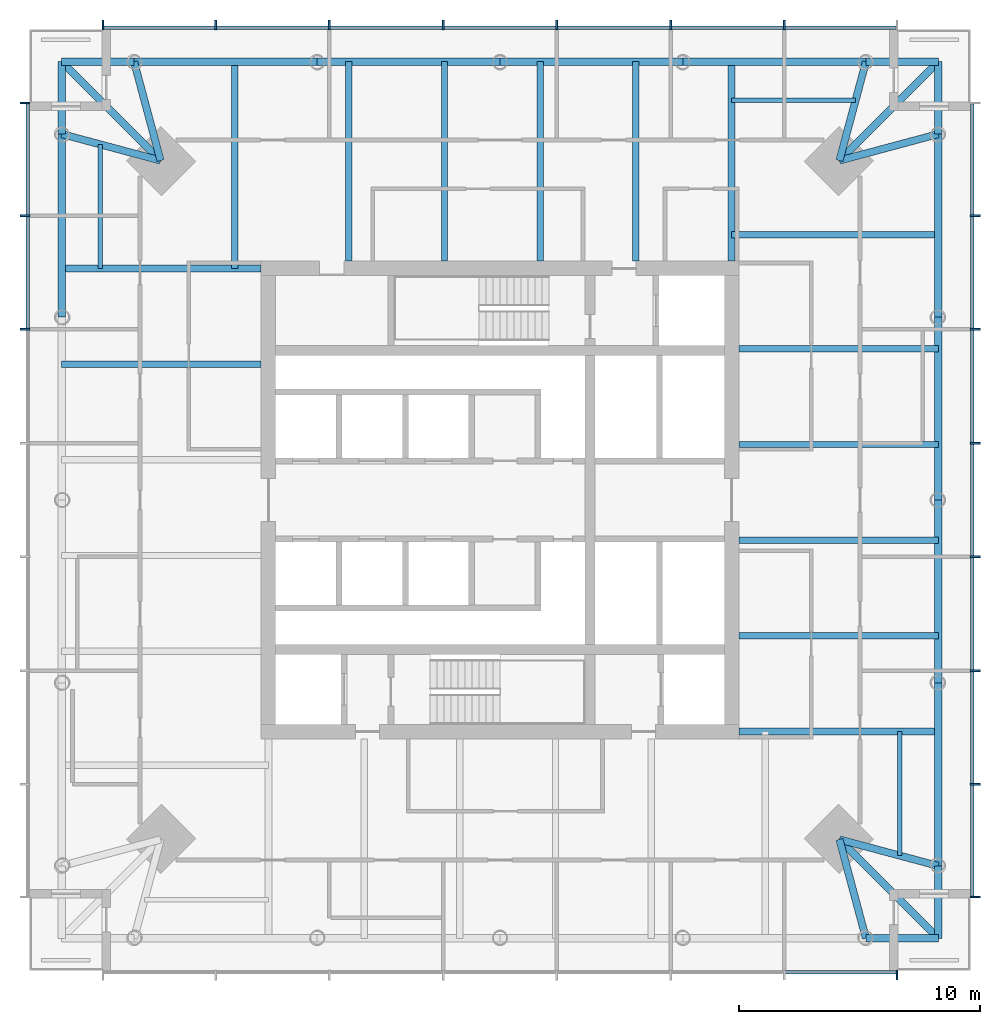
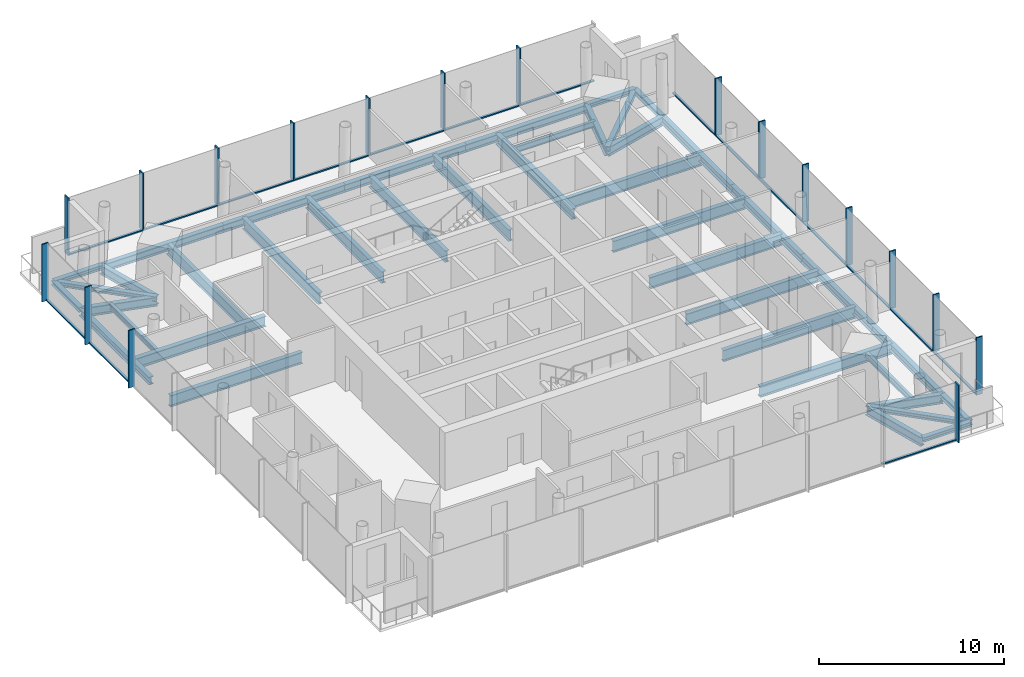
# One storey, part 2 of 7: 41 beams, 35 members, 4 elements without a shape of their own.
"""IFC4 building model written with IfcOpenShell, lengths in metres."""

from ifc_helpers import new_model, si_unit, direction, frame, origin, origin_2d, place, context, subcontext, project, spatial, rectangle, i_section, extrude, material, material_profile, profile_set, type_object, element, aggregate, save


model = new_model("IFC4")

# Units and contexts
model_context = context("Model", 3, precision=1e-05, world=origin(), true_north=direction((0.0, 1.0)))
body_context = subcontext(model_context, "Body", "Model", "MODEL_VIEW")
ifc_project = project(units=[si_unit("LENGTHUNIT", "METRE"), si_unit("AREAUNIT", "SQUARE_METRE"), si_unit("VOLUMEUNIT", "CUBIC_METRE"), si_unit("PLANEANGLEUNIT", "RADIAN"), si_unit("MASSUNIT", "GRAM", prefix="KILO")], contexts=[model_context])

# Site, building, storey
site_placement = place(None, origin())
site = spatial("IfcSite", under=ifc_project, at=site_placement, CompositionType="ELEMENT")
building_placement = place(site_placement, origin())
building = spatial("IfcBuilding", under=site, at=building_placement, Name="Ostroluk Exchange", CompositionType="ELEMENT")
storey_placement = place(building_placement, frame((0.0, 0.0, 203.39990234375)))
storey = spatial("IfcBuildingStorey", under=building, at=storey_placement, Name="L52", CompositionType="ELEMENT", Elevation=203.39990234375)

# Beams
ifc_material_1 = material(Name="Steel S355", Category="steel")
ifc_material_profile_1 = material_profile(ifc_material_1, i_section(OverallWidth=0.300048828125, OverallDepth=0.300048828125, WebThickness=0.010986328125, FlangeThickness=0.01904296875, FilletRadius=0.027099609375, at=origin_2d()), Name="HEB 300")
ifc_profile_set_1 = profile_set([ifc_material_profile_1], Name="Steel S355")
beam_type_1 = type_object("IfcBeamType", Name="Balcony beam HEB 300", PredefinedType="BEAM", material=ifc_profile_set_1)
for number, where, z_axis, x_axis, name in (
    (1, (63.17138671875, 61.17138671875, -0.329833984375), (0.0, 1.0, 0.0), (-1.0, 0.0, 0.0), "T1 east balcony beam a"),
    (2, (60.17138671875, 64.17138671875, -0.329833984375), (1.0, 0.0, 0.0), (0.0, 1.0, 0.0), "T1 east balcony beam b"),
):
    element("IfcBeam", number, at=place(storey_placement, frame(where, z_axis=z_axis, x_axis=x_axis)), inside=storey, type_object=beam_type_1, Name=name, PredefinedType="BEAM", context=body_context, shape_type="SweptSolid", body=[
        extrude(i_section(OverallWidth=0.300048828125, OverallDepth=0.300048828125, WebThickness=0.010986328125, FlangeThickness=0.01904296875, FilletRadius=0.027099609375, at=origin_2d()), origin(), (0.0, 0.0, 1.0), 3.0),
    ])
beam_1_placement = place(storey_placement, frame((59.071533203125, 60.071533203125, -0.329833984375), z_axis=(0.707106781187, 0.707106781187, 0.0), x_axis=(-0.707106781187, 0.707106781187, 0.0)))
element("IfcBeam", 3, at=beam_1_placement, inside=storey, type_object=beam_type_1, Name="T1 east balcony beam c", PredefinedType="BEAM", context=body_context, shape_type="SweptSolid", body=[
    extrude(i_section(OverallWidth=0.300048828125, OverallDepth=0.300048828125, WebThickness=0.010986328125, FlangeThickness=0.01904296875, FilletRadius=0.027099609375, at=origin_2d()), origin(), (0.0, 0.0, 1.0), 5.798095703125),
])
for number, where, z_axis, x_axis, name in (
    (4, (29.82861328125, 64.17138671875, -0.329833984375), (-1.0, 0.0, 0.0), (0.0, -1.0, 0.0), "T1 north balcony beam a"),
    (5, (26.82861328125, 61.17138671875, -0.329833984375), (0.0, 1.0, 0.0), (-1.0, 0.0, 0.0), "T1 north balcony beam b"),
):
    element("IfcBeam", number, at=place(storey_placement, frame(where, z_axis=z_axis, x_axis=x_axis)), inside=storey, type_object=beam_type_1, Name=name, PredefinedType="BEAM", context=body_context, shape_type="SweptSolid", body=[
        extrude(i_section(OverallWidth=0.300048828125, OverallDepth=0.300048828125, WebThickness=0.010986328125, FlangeThickness=0.01904296875, FilletRadius=0.027099609375, at=origin_2d()), origin(), (0.0, 0.0, 1.0), 3.0),
    ])
beam_2_placement = place(storey_placement, frame((30.928466796875, 60.071533203125, -0.329833984375), z_axis=(-0.707106781187, 0.707106781187, 0.0), x_axis=(-0.707106781187, -0.707106781187, 0.0)))
element("IfcBeam", 6, at=beam_2_placement, inside=storey, type_object=beam_type_1, Name="T1 north balcony beam c", PredefinedType="BEAM", context=body_context, shape_type="SweptSolid", body=[
    extrude(i_section(OverallWidth=0.300048828125, OverallDepth=0.300048828125, WebThickness=0.010986328125, FlangeThickness=0.01904296875, FilletRadius=0.027099609375, at=origin_2d()), origin(), (0.0, 0.0, 1.0), 5.798095703125),
])
for number, where, z_axis, x_axis, name in (
    (7, (60.17138671875, 27.82861328125, -0.329833984375), (1.0, 0.0, 0.0), (0.0, 1.0, 0.0), "T1 south balcony beam a"),
    (8, (63.17138671875, 30.82861328125, -0.329833984375), (0.0, -1.0, 0.0), (1.0, 0.0, 0.0), "T1 south balcony beam b"),
):
    element("IfcBeam", number, at=place(storey_placement, frame(where, z_axis=z_axis, x_axis=x_axis)), inside=storey, type_object=beam_type_1, Name=name, PredefinedType="BEAM", context=body_context, shape_type="SweptSolid", body=[
        extrude(i_section(OverallWidth=0.300048828125, OverallDepth=0.300048828125, WebThickness=0.010986328125, FlangeThickness=0.01904296875, FilletRadius=0.027099609375, at=origin_2d()), origin(), (0.0, 0.0, 1.0), 3.0),
    ])
beam_3_placement = place(storey_placement, frame((59.071533203125, 31.928466796875, -0.329833984375), z_axis=(0.707106781187, -0.707106781187, 0.0), x_axis=(0.707106781187, 0.707106781187, 0.0)))
element("IfcBeam", 9, at=beam_3_placement, inside=storey, type_object=beam_type_1, Name="T1 south balcony beam c", PredefinedType="BEAM", context=body_context, shape_type="SweptSolid", body=[
    extrude(i_section(OverallWidth=0.300048828125, OverallDepth=0.300048828125, WebThickness=0.010986328125, FlangeThickness=0.01904296875, FilletRadius=0.027099609375, at=origin_2d()), origin(), (0.0, 0.0, 1.0), 5.798095703125),
])
ifc_material_2 = material(Name="Steel S355", Category="steel")
ifc_material_profile_2 = material_profile(ifc_material_2, i_section(OverallWidth=0.300048828125, OverallDepth=0.60009765625, WebThickness=0.015380859375, FlangeThickness=0.030029296875, FilletRadius=0.027099609375, at=origin_2d()), Name="HEB 600")
ifc_profile_set_2 = profile_set([ifc_material_profile_2], Name="Steel S355")
beam_type_2 = type_object("IfcBeamType", Name="Corner edge beam HEB 600", PredefinedType="SPANDREL", material=ifc_profile_set_2)
for number, where, z_axis, x_axis, name in (
    (10, (59.071533203125, 60.071533203125, -0.47998046875), (0.965849156574, 0.259105011038, 0.0), (-0.259105011038, 0.965849156574, 0.0), "T1 east corner edge beam a"),
    (11, (59.071533203125, 60.071533203125, -0.47998046875), (0.259105011038, 0.965849156574, 0.0), (-0.965849156574, 0.259105011038, 0.0), "T1 east corner edge beam b"),
    (12, (30.928466796875, 60.071533203125, -0.47998046875), (-0.259105011038, 0.965849156574, 0.0), (-0.965849156574, -0.259105011038, 0.0), "T1 north corner edge beam a"),
    (13, (30.928466796875, 60.071533203125, -0.47998046875), (-0.965849156574, 0.259105011038, 0.0), (-0.259105011038, -0.965849156574, 0.0), "T1 north corner edge beam b"),
    (14, (59.071533203125, 31.928466796875, -0.47998046875), (0.259105011038, -0.965849156574, 0.0), (0.965849156574, 0.259105011038, 0.0), "T1 south corner edge beam a"),
    (15, (59.071533203125, 31.928466796875, -0.47998046875), (0.965849156574, -0.259105011038, 0.0), (0.259105011038, 0.965849156574, 0.0), "T1 south corner edge beam b"),
):
    element("IfcBeam", number, at=place(storey_placement, frame(where, z_axis=z_axis, x_axis=x_axis)), inside=storey, type_object=beam_type_2, Name=name, PredefinedType="SPANDREL", context=body_context, shape_type="SweptSolid", body=[
        extrude(i_section(OverallWidth=0.300048828125, OverallDepth=0.60009765625, WebThickness=0.015380859375, FlangeThickness=0.030029296875, FilletRadius=0.027099609375, at=origin_2d()), origin(), (0.0, 0.0, 1.0), 4.244873046875),
    ])
ifc_material_3 = material(Name="Steel S355", Category="steel")
ifc_material_profile_3 = material_profile(ifc_material_3, i_section(OverallWidth=0.179931640625, OverallDepth=0.39990234375, WebThickness=0.008544921875, FlangeThickness=0.013427734375, FilletRadius=0.02099609375, at=origin_2d()), Name="IPE 400")
ifc_profile_set_3 = profile_set([ifc_material_profile_3], Name="Steel S355")
beam_type_3 = type_object("IfcBeamType", Name="Floor beam IPE 400", PredefinedType="BEAM", material=ifc_profile_set_3)
for number, where, z_axis, x_axis, name in (
    (16, (54.60009765625, 62.571533203125, -0.3798828125), (1.0, 0.0, 0.0), (0.0, 1.0, 0.0), "T1 east floor beam 6"),
    (17, (28.428466796875, 55.60009765625, -0.3798828125), (0.0, 1.0, 0.0), (-1.0, 0.0, 0.0), "T1 north floor beam 6"),
    (18, (61.571533203125, 36.39990234375, -0.3798828125), (0.0, -1.0, 0.0), (1.0, 0.0, 0.0), "T1 south floor beam 6"),
):
    element("IfcBeam", number, at=place(storey_placement, frame(where, z_axis=z_axis, x_axis=x_axis)), inside=storey, type_object=beam_type_3, Name=name, PredefinedType="BEAM", context=body_context, shape_type="SweptSolid", body=[
        extrude(i_section(OverallWidth=0.179931640625, OverallDepth=0.39990234375, WebThickness=0.008544921875, FlangeThickness=0.013427734375, FilletRadius=0.02099609375, at=origin_2d()), origin(), (0.0, 0.0, 1.0), 5.14208984375),
    ])
ifc_material_4 = material(Name="Steel S355", Category="steel")
ifc_material_profile_4 = material_profile(ifc_material_4, i_section(OverallWidth=0.264892578125, OverallDepth=0.7529296875, WebThickness=0.01318359375, FlangeThickness=0.01708984375, FilletRadius=0.01708984375, at=origin_2d()), Name="IPE 750x147")
ifc_profile_set_4 = profile_set([ifc_material_profile_4], Name="Steel S355")
beam_type_4 = type_object("IfcBeamType", Name="Floor beam IPE 750x147", PredefinedType="BEAM", material=ifc_profile_set_4)
for number, where, z_axis, x_axis, name in (
    (19, (54.89990234375, 40.367431640625, -0.556396484375), (1.0, 0.0, 0.0), (0.0, 1.0, 0.0), "T1 east floor beam 1"),
    (20, (54.89990234375, 44.334716796875, -0.556396484375), (1.0, 0.0, 0.0), (0.0, 1.0, 0.0), "T1 east floor beam 2"),
    (21, (54.89990234375, 48.302001953125, -0.556396484375), (1.0, 0.0, 0.0), (0.0, 1.0, 0.0), "T1 east floor beam 3"),
    (22, (54.89990234375, 52.269287109375, -0.556396484375), (1.0, 0.0, 0.0), (0.0, 1.0, 0.0), "T1 east floor beam 4"),
):
    element("IfcBeam", number, at=place(storey_placement, frame(where, z_axis=z_axis, x_axis=x_axis)), inside=storey, type_object=beam_type_4, Name=name, PredefinedType="BEAM", context=body_context, shape_type="SweptSolid", body=[
        extrude(i_section(OverallWidth=0.264892578125, OverallDepth=0.7529296875, WebThickness=0.01318359375, FlangeThickness=0.01708984375, FilletRadius=0.01708984375, at=origin_2d()), origin(), (0.0, 0.0, 1.0), 8.271484375),
    ])
beam_4_placement = place(storey_placement, frame((54.60009765625, 57.0, -0.556396484375), z_axis=(1.0, 0.0, 0.0), x_axis=(0.0, 1.0, 0.0)))
element("IfcBeam", 23, at=beam_4_placement, inside=storey, type_object=beam_type_4, Name="T1 east floor beam 5", PredefinedType="BEAM", context=body_context, shape_type="SweptSolid", body=[
    extrude(i_section(OverallWidth=0.264892578125, OverallDepth=0.7529296875, WebThickness=0.01318359375, FlangeThickness=0.01708984375, FilletRadius=0.01708984375, at=origin_2d()), origin(), (0.0, 0.0, 1.0), 8.5712890625),
])
for number, where, z_axis, x_axis, name in (
    (24, (50.632568359375, 55.89990234375, -0.556396484375), (0.0, 1.0, 0.0), (-1.0, 0.0, 0.0), "T1 north floor beam 1"),
    (25, (46.665283203125, 55.89990234375, -0.556396484375), (0.0, 1.0, 0.0), (-1.0, 0.0, 0.0), "T1 north floor beam 2"),
    (26, (42.697998046875, 55.89990234375, -0.556396484375), (0.0, 1.0, 0.0), (-1.0, 0.0, 0.0), "T1 north floor beam 3"),
    (27, (38.730712890625, 55.89990234375, -0.556396484375), (0.0, 1.0, 0.0), (-1.0, 0.0, 0.0), "T1 north floor beam 4"),
):
    element("IfcBeam", number, at=place(storey_placement, frame(where, z_axis=z_axis, x_axis=x_axis)), inside=storey, type_object=beam_type_4, Name=name, PredefinedType="BEAM", context=body_context, shape_type="SweptSolid", body=[
        extrude(i_section(OverallWidth=0.264892578125, OverallDepth=0.7529296875, WebThickness=0.01318359375, FlangeThickness=0.01708984375, FilletRadius=0.01708984375, at=origin_2d()), origin(), (0.0, 0.0, 1.0), 8.271484375),
    ])
beam_5_placement = place(storey_placement, frame((34.0, 55.60009765625, -0.556396484375), z_axis=(0.0, 1.0, 0.0), x_axis=(-1.0, 0.0, 0.0)))
element("IfcBeam", 28, at=beam_5_placement, inside=storey, type_object=beam_type_4, Name="T1 north floor beam 5", PredefinedType="BEAM", context=body_context, shape_type="SweptSolid", body=[
    extrude(i_section(OverallWidth=0.264892578125, OverallDepth=0.7529296875, WebThickness=0.01318359375, FlangeThickness=0.01708984375, FilletRadius=0.01708984375, at=origin_2d()), origin(), (0.0, 0.0, 1.0), 8.5712890625),
])
beam_6_placement = place(storey_placement, frame((35.10009765625, 51.632568359375, -0.556396484375), z_axis=(-1.0, 0.0, 0.0), x_axis=(0.0, -1.0, 0.0)))
element("IfcBeam", 29, at=beam_6_placement, inside=storey, type_object=beam_type_4, Name="T1 west floor beam 1", PredefinedType="BEAM", context=body_context, shape_type="SweptSolid", body=[
    extrude(i_section(OverallWidth=0.264892578125, OverallDepth=0.7529296875, WebThickness=0.01318359375, FlangeThickness=0.01708984375, FilletRadius=0.01708984375, at=origin_2d()), origin(), (0.0, 0.0, 1.0), 8.271484375),
])
ifc_material_5 = material(Name="Steel S355", Category="steel")
ifc_material_profile_5 = material_profile(ifc_material_5, i_section(OverallWidth=0.300048828125, OverallDepth=0.699951171875, WebThickness=0.01708984375, FlangeThickness=0.031982421875, FilletRadius=0.027099609375, at=origin_2d()), Name="HEB 700")
ifc_profile_set_5 = profile_set([ifc_material_profile_5], Name="Steel S355")
beam_type_5 = type_object("IfcBeamType", Name="Girder HEB 700", PredefinedType="BEAM", material=ifc_profile_set_5)
for number, where, z_axis, x_axis, name in (
    (30, (54.60009765625, 55.89990234375, -0.52978515625), (0.0, 1.0, 0.0), (-1.0, 0.0, 0.0), "T1 east girder"),
    (31, (35.10009765625, 55.60009765625, -0.52978515625), (-1.0, 0.0, 0.0), (0.0, -1.0, 0.0), "T1 north girder"),
    (32, (54.89990234375, 36.39990234375, -0.52978515625), (1.0, 0.0, 0.0), (0.0, 1.0, 0.0), "T1 south girder"),
):
    element("IfcBeam", number, at=place(storey_placement, frame(where, z_axis=z_axis, x_axis=x_axis)), inside=storey, type_object=beam_type_5, Name=name, PredefinedType="BEAM", context=body_context, shape_type="SweptSolid", body=[
        extrude(i_section(OverallWidth=0.300048828125, OverallDepth=0.699951171875, WebThickness=0.01708984375, FlangeThickness=0.031982421875, FilletRadius=0.027099609375, at=origin_2d()), origin(), (0.0, 0.0, 1.0), 8.271484375),
    ])
ifc_material_6 = material(Name="Steel S355", Category="steel")
ifc_material_profile_6 = material_profile(ifc_material_6, i_section(OverallWidth=0.300048828125, OverallDepth=0.5, WebThickness=0.014404296875, FlangeThickness=0.028076171875, FilletRadius=0.027099609375, at=origin_2d()), Name="HEB 500")
ifc_profile_set_6 = profile_set([ifc_material_profile_6], Name="Steel S355")
beam_type_6 = type_object("IfcBeamType", Name="Moment-connected edge beam HEB 500", PredefinedType="SPANDREL", material=ifc_profile_set_6)
for number, where, z_axis, x_axis, name in (
    (33, (63.17138671875, 30.82861328125, -0.429931640625), (0.0, 1.0, 0.0), (-1.0, 0.0, 0.0), "T1 east edge beam 1"),
    (34, (63.17138671875, 38.414306640625, -0.429931640625), (0.0, 1.0, 0.0), (-1.0, 0.0, 0.0), "T1 east edge beam 2"),
    (35, (63.17138671875, 46.0, -0.429931640625), (0.0, 1.0, 0.0), (-1.0, 0.0, 0.0), "T1 east edge beam 3"),
    (36, (63.17138671875, 53.585693359375, -0.429931640625), (0.0, 1.0, 0.0), (-1.0, 0.0, 0.0), "T1 east edge beam 4"),
    (37, (60.17138671875, 64.17138671875, -0.429931640625), (-1.0, 0.0, 0.0), (0.0, -1.0, 0.0), "T1 north edge beam 1"),
    (38, (52.585693359375, 64.17138671875, -0.429931640625), (-1.0, 0.0, 0.0), (0.0, -1.0, 0.0), "T1 north edge beam 2"),
    (39, (45.0, 64.17138671875, -0.429931640625), (-1.0, 0.0, 0.0), (0.0, -1.0, 0.0), "T1 north edge beam 3"),
    (40, (37.414306640625, 64.17138671875, -0.429931640625), (-1.0, 0.0, 0.0), (0.0, -1.0, 0.0), "T1 north edge beam 4"),
    (41, (26.82861328125, 61.17138671875, -0.429931640625), (0.0, -1.0, 0.0), (1.0, 0.0, 0.0), "T1 west edge beam 1"),
):
    element("IfcBeam", number, at=place(storey_placement, frame(where, z_axis=z_axis, x_axis=x_axis)), inside=storey, type_object=beam_type_6, Name=name, PredefinedType="SPANDREL", context=body_context, shape_type="SweptSolid", body=[
        extrude(i_section(OverallWidth=0.300048828125, OverallDepth=0.5, WebThickness=0.014404296875, FlangeThickness=0.028076171875, FilletRadius=0.027099609375, at=origin_2d()), origin(), (0.0, 0.0, 1.0), 7.585693359375),
    ])

# Curtain wall, member
ifc_material_7 = material(Name="Laminated clear glass", Category="glass")
curtain_wall_type = type_object("IfcCurtainWallType", Name="Office tower facade", PredefinedType="USERDEFINED", material=ifc_material_7)
curtain_wall_1_placement = place(storey_placement, origin())
curtain_wall_1 = element("IfcCurtainWall", 42, at=curtain_wall_1_placement, inside=storey, type_object=curtain_wall_type, Name="Office tower south facade L52", ObjectType="UNITISED CURTAIN WALL", PredefinedType="USERDEFINED")
ifc_material_8 = material(Name="Aluminium mullion", Category="aluminium")
ifc_material_profile_7 = material_profile(ifc_material_8, rectangle(XDim=0.14990234375, YDim=0.080078125, at=origin_2d()), Name="Sill transom 80 x 150")
ifc_profile_set_7 = profile_set([ifc_material_profile_7], Name="Aluminium mullion")
member_type_1 = type_object("IfcMemberType", Name="Sill transom 80 x 150", PredefinedType="USERDEFINED", material=ifc_profile_set_7)
member_1_placement = place(storey_placement, frame((56.82568359375, 26.425048828125, 0.0400390625), z_axis=(1.0, 0.0, 0.0), x_axis=(0.0, 1.0, 0.0)))
member_1 = element("IfcMember", 43, at=member_1_placement, type_object=member_type_1, Name="CW-O1 transom 7.1", ObjectType="TRANSOM", PredefinedType="USERDEFINED", context=body_context, shape_type="SweptSolid", body=[
    extrude(rectangle(XDim=0.14990234375, YDim=0.080078125, at=origin_2d()), origin(), (0.0, 0.0, 1.0), 4.59423828125),
])

# Curtain wall, members
curtain_wall_2_placement = place(storey_placement, origin())
curtain_wall_2 = element("IfcCurtainWall", 44, at=curtain_wall_2_placement, inside=storey, type_object=curtain_wall_type, Name="Office tower east facade L52", ObjectType="UNITISED CURTAIN WALL", PredefinedType="USERDEFINED")
member_2_placement = place(storey_placement, frame((64.574951171875, 29.580078125, 0.0400390625), z_axis=(0.0, 1.0, 0.0), x_axis=(-1.0, 0.0, 0.0)))
member_2 = element("IfcMember", 45, at=member_2_placement, type_object=member_type_1, Name="CW-O1 transom 1.1", ObjectType="TRANSOM", PredefinedType="USERDEFINED", context=body_context, shape_type="SweptSolid", body=[
    extrude(rectangle(XDim=0.14990234375, YDim=0.080078125, at=origin_2d()), origin(), (0.0, 0.0, 1.0), 4.59423828125),
])
member_3_placement = place(storey_placement, frame((64.574951171875, 34.25439453125, 0.0400390625), z_axis=(0.0, 1.0, 0.0), x_axis=(-1.0, 0.0, 0.0)))
member_3 = element("IfcMember", 46, at=member_3_placement, type_object=member_type_1, Name="CW-O1 transom 2.1", ObjectType="TRANSOM", PredefinedType="USERDEFINED", context=body_context, shape_type="SweptSolid", body=[
    extrude(rectangle(XDim=0.14990234375, YDim=0.080078125, at=origin_2d()), origin(), (0.0, 0.0, 1.0), 4.63427734375),
])
member_4_placement = place(storey_placement, frame((64.574951171875, 38.968505859375, 0.0400390625), z_axis=(0.0, 1.0, 0.0), x_axis=(-1.0, 0.0, 0.0)))
member_4 = element("IfcMember", 47, at=member_4_placement, type_object=member_type_1, Name="CW-O1 transom 3.1", ObjectType="TRANSOM", PredefinedType="USERDEFINED", context=body_context, shape_type="SweptSolid", body=[
    extrude(rectangle(XDim=0.14990234375, YDim=0.080078125, at=origin_2d()), origin(), (0.0, 0.0, 1.0), 4.63427734375),
])
member_5_placement = place(storey_placement, frame((64.574951171875, 43.682861328125, 0.0400390625), z_axis=(0.0, 1.0, 0.0), x_axis=(-1.0, 0.0, 0.0)))
member_5 = element("IfcMember", 48, at=member_5_placement, type_object=member_type_1, Name="CW-O1 transom 4.1", ObjectType="TRANSOM", PredefinedType="USERDEFINED", context=body_context, shape_type="SweptSolid", body=[
    extrude(rectangle(XDim=0.14990234375, YDim=0.080078125, at=origin_2d()), origin(), (0.0, 0.0, 1.0), 4.63427734375),
])
member_6_placement = place(storey_placement, frame((64.574951171875, 48.397216796875, 0.0400390625), z_axis=(0.0, 1.0, 0.0), x_axis=(-1.0, 0.0, 0.0)))
member_6 = element("IfcMember", 49, at=member_6_placement, type_object=member_type_1, Name="CW-O1 transom 5.1", ObjectType="TRANSOM", PredefinedType="USERDEFINED", context=body_context, shape_type="SweptSolid", body=[
    extrude(rectangle(XDim=0.14990234375, YDim=0.080078125, at=origin_2d()), origin(), (0.0, 0.0, 1.0), 4.63427734375),
])
member_7_placement = place(storey_placement, frame((64.574951171875, 53.111328125, 0.0400390625), z_axis=(0.0, 1.0, 0.0), x_axis=(-1.0, 0.0, 0.0)))
member_7 = element("IfcMember", 50, at=member_7_placement, type_object=member_type_1, Name="CW-O1 transom 6.1", ObjectType="TRANSOM", PredefinedType="USERDEFINED", context=body_context, shape_type="SweptSolid", body=[
    extrude(rectangle(XDim=0.14990234375, YDim=0.080078125, at=origin_2d()), origin(), (0.0, 0.0, 1.0), 4.63427734375),
])
member_8_placement = place(storey_placement, frame((64.574951171875, 57.82568359375, 0.0400390625), z_axis=(0.0, 1.0, 0.0), x_axis=(-1.0, 0.0, 0.0)))
member_8 = element("IfcMember", 51, at=member_8_placement, type_object=member_type_1, Name="CW-O1 transom 7.1", ObjectType="TRANSOM", PredefinedType="USERDEFINED", context=body_context, shape_type="SweptSolid", body=[
    extrude(rectangle(XDim=0.14990234375, YDim=0.080078125, at=origin_2d()), origin(), (0.0, 0.0, 1.0), 4.59423828125),
])

curtain_wall_3_placement = place(storey_placement, origin())
curtain_wall_3 = element("IfcCurtainWall", 52, at=curtain_wall_3_placement, inside=storey, type_object=curtain_wall_type, Name="Office tower north facade L52", ObjectType="UNITISED CURTAIN WALL", PredefinedType="USERDEFINED")
member_9_placement = place(storey_placement, frame((61.419921875, 65.574951171875, 0.0400390625), z_axis=(-1.0, 0.0, 0.0), x_axis=(0.0, -1.0, 0.0)))
member_9 = element("IfcMember", 53, at=member_9_placement, type_object=member_type_1, Name="CW-O1 transom 1.1", ObjectType="TRANSOM", PredefinedType="USERDEFINED", context=body_context, shape_type="SweptSolid", body=[
    extrude(rectangle(XDim=0.14990234375, YDim=0.080078125, at=origin_2d()), origin(), (0.0, 0.0, 1.0), 4.59423828125),
])
member_10_placement = place(storey_placement, frame((56.74560546875, 65.574951171875, 0.0400390625), z_axis=(-1.0, 0.0, 0.0), x_axis=(0.0, -1.0, 0.0)))
member_10 = element("IfcMember", 54, at=member_10_placement, type_object=member_type_1, Name="CW-O1 transom 2.1", ObjectType="TRANSOM", PredefinedType="USERDEFINED", context=body_context, shape_type="SweptSolid", body=[
    extrude(rectangle(XDim=0.14990234375, YDim=0.080078125, at=origin_2d()), origin(), (0.0, 0.0, 1.0), 4.63427734375),
])
member_11_placement = place(storey_placement, frame((52.031494140625, 65.574951171875, 0.0400390625), z_axis=(-1.0, 0.0, 0.0), x_axis=(0.0, -1.0, 0.0)))
member_11 = element("IfcMember", 55, at=member_11_placement, type_object=member_type_1, Name="CW-O1 transom 3.1", ObjectType="TRANSOM", PredefinedType="USERDEFINED", context=body_context, shape_type="SweptSolid", body=[
    extrude(rectangle(XDim=0.14990234375, YDim=0.080078125, at=origin_2d()), origin(), (0.0, 0.0, 1.0), 4.63427734375),
])
member_12_placement = place(storey_placement, frame((47.317138671875, 65.574951171875, 0.0400390625), z_axis=(-1.0, 0.0, 0.0), x_axis=(0.0, -1.0, 0.0)))
member_12 = element("IfcMember", 56, at=member_12_placement, type_object=member_type_1, Name="CW-O1 transom 4.1", ObjectType="TRANSOM", PredefinedType="USERDEFINED", context=body_context, shape_type="SweptSolid", body=[
    extrude(rectangle(XDim=0.14990234375, YDim=0.080078125, at=origin_2d()), origin(), (0.0, 0.0, 1.0), 4.63427734375),
])
member_13_placement = place(storey_placement, frame((42.602783203125, 65.574951171875, 0.0400390625), z_axis=(-1.0, 0.0, 0.0), x_axis=(0.0, -1.0, 0.0)))
member_13 = element("IfcMember", 57, at=member_13_placement, type_object=member_type_1, Name="CW-O1 transom 5.1", ObjectType="TRANSOM", PredefinedType="USERDEFINED", context=body_context, shape_type="SweptSolid", body=[
    extrude(rectangle(XDim=0.14990234375, YDim=0.080078125, at=origin_2d()), origin(), (0.0, 0.0, 1.0), 4.63427734375),
])
member_14_placement = place(storey_placement, frame((37.888671875, 65.574951171875, 0.0400390625), z_axis=(-1.0, 0.0, 0.0), x_axis=(0.0, -1.0, 0.0)))
member_14 = element("IfcMember", 58, at=member_14_placement, type_object=member_type_1, Name="CW-O1 transom 6.1", ObjectType="TRANSOM", PredefinedType="USERDEFINED", context=body_context, shape_type="SweptSolid", body=[
    extrude(rectangle(XDim=0.14990234375, YDim=0.080078125, at=origin_2d()), origin(), (0.0, 0.0, 1.0), 4.63427734375),
])
member_15_placement = place(storey_placement, frame((33.17431640625, 65.574951171875, 0.0400390625), z_axis=(-1.0, 0.0, 0.0), x_axis=(0.0, -1.0, 0.0)))
member_15 = element("IfcMember", 59, at=member_15_placement, type_object=member_type_1, Name="CW-O1 transom 7.1", ObjectType="TRANSOM", PredefinedType="USERDEFINED", context=body_context, shape_type="SweptSolid", body=[
    extrude(rectangle(XDim=0.14990234375, YDim=0.080078125, at=origin_2d()), origin(), (0.0, 0.0, 1.0), 4.59423828125),
])

curtain_wall_4_placement = place(storey_placement, origin())
curtain_wall_4 = element("IfcCurtainWall", 60, at=curtain_wall_4_placement, inside=storey, type_object=curtain_wall_type, Name="Office tower west facade L52", ObjectType="UNITISED CURTAIN WALL", PredefinedType="USERDEFINED")
member_16_placement = place(storey_placement, frame((25.425048828125, 62.419921875, 0.0400390625), z_axis=(0.0, -1.0, 0.0), x_axis=(1.0, 0.0, 0.0)))
member_16 = element("IfcMember", 61, at=member_16_placement, type_object=member_type_1, Name="CW-O1 transom 1.1", ObjectType="TRANSOM", PredefinedType="USERDEFINED", context=body_context, shape_type="SweptSolid", body=[
    extrude(rectangle(XDim=0.14990234375, YDim=0.080078125, at=origin_2d()), origin(), (0.0, 0.0, 1.0), 4.59423828125),
])
member_17_placement = place(storey_placement, frame((25.425048828125, 57.74560546875, 0.0400390625), z_axis=(0.0, -1.0, 0.0), x_axis=(1.0, 0.0, 0.0)))
member_17 = element("IfcMember", 62, at=member_17_placement, type_object=member_type_1, Name="CW-O1 transom 2.1", ObjectType="TRANSOM", PredefinedType="USERDEFINED", context=body_context, shape_type="SweptSolid", body=[
    extrude(rectangle(XDim=0.14990234375, YDim=0.080078125, at=origin_2d()), origin(), (0.0, 0.0, 1.0), 4.63427734375),
])

# Member
ifc_material_9 = material(Name="Aluminium mullion with limestone facing", Category="masonry")
ifc_material_profile_8 = material_profile(ifc_material_9, rectangle(XDim=0.39990234375, YDim=0.080078125, at=origin_2d()), Name="Tracery mullion 80 x 400")
ifc_profile_set_8 = profile_set([ifc_material_profile_8], Name="Aluminium mullion with limestone facing")
member_type_2 = type_object("IfcMemberType", Name="Tracery mullion 80 x 400", PredefinedType="MULLION", material=ifc_profile_set_8)
member_18_placement = place(storey_placement, frame((61.4599609375, 26.300048828125, 0.0), z_axis=(0.0, 0.0, 1.0), x_axis=(0.0, 1.0, 0.0)))
member_18 = element("IfcMember", 63, at=member_18_placement, type_object=member_type_2, Name="CW-O1 mullion 8", PredefinedType="MULLION", context=body_context, shape_type="SweptSolid", body=[
    extrude(rectangle(XDim=0.39990234375, YDim=0.080078125, at=origin_2d()), origin(), (0.0, 0.0, 1.0), 3.800048828125),
])

aggregate(curtain_wall_1, [member_18, member_1])

member_19_placement = place(storey_placement, frame((64.699951171875, 29.5400390625, 0.0), z_axis=(0.0, 0.0, 1.0), x_axis=(-1.0, 0.0, 0.0)))
member_19 = element("IfcMember", 64, at=member_19_placement, type_object=member_type_2, Name="CW-O1 mullion 1", PredefinedType="MULLION", context=body_context, shape_type="SweptSolid", body=[
    extrude(rectangle(XDim=0.39990234375, YDim=0.080078125, at=origin_2d()), origin(), (0.0, 0.0, 1.0), 3.800048828125),
])

member_20_placement = place(storey_placement, frame((64.699951171875, 34.21435546875, 0.0), z_axis=(0.0, 0.0, 1.0), x_axis=(-1.0, 0.0, 0.0)))
member_20 = element("IfcMember", 65, at=member_20_placement, type_object=member_type_2, Name="CW-O1 mullion 2", PredefinedType="MULLION", context=body_context, shape_type="SweptSolid", body=[
    extrude(rectangle(XDim=0.39990234375, YDim=0.080078125, at=origin_2d()), origin(), (0.0, 0.0, 1.0), 3.800048828125),
])

member_21_placement = place(storey_placement, frame((64.699951171875, 38.928466796875, 0.0), z_axis=(0.0, 0.0, 1.0), x_axis=(-1.0, 0.0, 0.0)))
member_21 = element("IfcMember", 66, at=member_21_placement, type_object=member_type_2, Name="CW-O1 mullion 3", PredefinedType="MULLION", context=body_context, shape_type="SweptSolid", body=[
    extrude(rectangle(XDim=0.39990234375, YDim=0.080078125, at=origin_2d()), origin(), (0.0, 0.0, 1.0), 3.800048828125),
])

member_22_placement = place(storey_placement, frame((64.699951171875, 43.642822265625, 0.0), z_axis=(0.0, 0.0, 1.0), x_axis=(-1.0, 0.0, 0.0)))
member_22 = element("IfcMember", 67, at=member_22_placement, type_object=member_type_2, Name="CW-O1 mullion 4", PredefinedType="MULLION", context=body_context, shape_type="SweptSolid", body=[
    extrude(rectangle(XDim=0.39990234375, YDim=0.080078125, at=origin_2d()), origin(), (0.0, 0.0, 1.0), 3.800048828125),
])

member_23_placement = place(storey_placement, frame((64.699951171875, 48.357177734375, 0.0), z_axis=(0.0, 0.0, 1.0), x_axis=(-1.0, 0.0, 0.0)))
member_23 = element("IfcMember", 68, at=member_23_placement, type_object=member_type_2, Name="CW-O1 mullion 5", PredefinedType="MULLION", context=body_context, shape_type="SweptSolid", body=[
    extrude(rectangle(XDim=0.39990234375, YDim=0.080078125, at=origin_2d()), origin(), (0.0, 0.0, 1.0), 3.800048828125),
])

member_24_placement = place(storey_placement, frame((64.699951171875, 53.071533203125, 0.0), z_axis=(0.0, 0.0, 1.0), x_axis=(-1.0, 0.0, 0.0)))
member_24 = element("IfcMember", 69, at=member_24_placement, type_object=member_type_2, Name="CW-O1 mullion 6", PredefinedType="MULLION", context=body_context, shape_type="SweptSolid", body=[
    extrude(rectangle(XDim=0.39990234375, YDim=0.080078125, at=origin_2d()), origin(), (0.0, 0.0, 1.0), 3.800048828125),
])

member_25_placement = place(storey_placement, frame((64.699951171875, 57.78564453125, 0.0), z_axis=(0.0, 0.0, 1.0), x_axis=(-1.0, 0.0, 0.0)))
member_25 = element("IfcMember", 70, at=member_25_placement, type_object=member_type_2, Name="CW-O1 mullion 7", PredefinedType="MULLION", context=body_context, shape_type="SweptSolid", body=[
    extrude(rectangle(XDim=0.39990234375, YDim=0.080078125, at=origin_2d()), origin(), (0.0, 0.0, 1.0), 3.800048828125),
])

aggregate(curtain_wall_2, [member_19, member_20, member_21, member_22, member_23, member_24, member_25, member_2, member_3, member_4, member_5, member_6, member_7, member_8])

member_26_placement = place(storey_placement, frame((56.78564453125, 65.699951171875, 0.0), z_axis=(0.0, 0.0, 1.0), x_axis=(0.0, -1.0, 0.0)))
member_26 = element("IfcMember", 71, at=member_26_placement, type_object=member_type_2, Name="CW-O1 mullion 2", PredefinedType="MULLION", context=body_context, shape_type="SweptSolid", body=[
    extrude(rectangle(XDim=0.39990234375, YDim=0.080078125, at=origin_2d()), origin(), (0.0, 0.0, 1.0), 3.800048828125),
])

member_27_placement = place(storey_placement, frame((52.071533203125, 65.699951171875, 0.0), z_axis=(0.0, 0.0, 1.0), x_axis=(0.0, -1.0, 0.0)))
member_27 = element("IfcMember", 72, at=member_27_placement, type_object=member_type_2, Name="CW-O1 mullion 3", PredefinedType="MULLION", context=body_context, shape_type="SweptSolid", body=[
    extrude(rectangle(XDim=0.39990234375, YDim=0.080078125, at=origin_2d()), origin(), (0.0, 0.0, 1.0), 3.800048828125),
])

member_28_placement = place(storey_placement, frame((47.357177734375, 65.699951171875, 0.0), z_axis=(0.0, 0.0, 1.0), x_axis=(0.0, -1.0, 0.0)))
member_28 = element("IfcMember", 73, at=member_28_placement, type_object=member_type_2, Name="CW-O1 mullion 4", PredefinedType="MULLION", context=body_context, shape_type="SweptSolid", body=[
    extrude(rectangle(XDim=0.39990234375, YDim=0.080078125, at=origin_2d()), origin(), (0.0, 0.0, 1.0), 3.800048828125),
])

member_29_placement = place(storey_placement, frame((42.642822265625, 65.699951171875, 0.0), z_axis=(0.0, 0.0, 1.0), x_axis=(0.0, -1.0, 0.0)))
member_29 = element("IfcMember", 74, at=member_29_placement, type_object=member_type_2, Name="CW-O1 mullion 5", PredefinedType="MULLION", context=body_context, shape_type="SweptSolid", body=[
    extrude(rectangle(XDim=0.39990234375, YDim=0.080078125, at=origin_2d()), origin(), (0.0, 0.0, 1.0), 3.800048828125),
])

member_30_placement = place(storey_placement, frame((37.928466796875, 65.699951171875, 0.0), z_axis=(0.0, 0.0, 1.0), x_axis=(0.0, -1.0, 0.0)))
member_30 = element("IfcMember", 75, at=member_30_placement, type_object=member_type_2, Name="CW-O1 mullion 6", PredefinedType="MULLION", context=body_context, shape_type="SweptSolid", body=[
    extrude(rectangle(XDim=0.39990234375, YDim=0.080078125, at=origin_2d()), origin(), (0.0, 0.0, 1.0), 3.800048828125),
])

member_31_placement = place(storey_placement, frame((33.21435546875, 65.699951171875, 0.0), z_axis=(0.0, 0.0, 1.0), x_axis=(0.0, -1.0, 0.0)))
member_31 = element("IfcMember", 76, at=member_31_placement, type_object=member_type_2, Name="CW-O1 mullion 7", PredefinedType="MULLION", context=body_context, shape_type="SweptSolid", body=[
    extrude(rectangle(XDim=0.39990234375, YDim=0.080078125, at=origin_2d()), origin(), (0.0, 0.0, 1.0), 3.800048828125),
])

member_32_placement = place(storey_placement, frame((28.5400390625, 65.699951171875, 0.0), z_axis=(0.0, 0.0, 1.0), x_axis=(0.0, -1.0, 0.0)))
member_32 = element("IfcMember", 77, at=member_32_placement, type_object=member_type_2, Name="CW-O1 mullion 8", PredefinedType="MULLION", context=body_context, shape_type="SweptSolid", body=[
    extrude(rectangle(XDim=0.39990234375, YDim=0.080078125, at=origin_2d()), origin(), (0.0, 0.0, 1.0), 3.800048828125),
])

aggregate(curtain_wall_3, [member_26, member_27, member_28, member_29, member_30, member_31, member_32, member_9, member_10, member_11, member_12, member_13, member_14, member_15])

member_33_placement = place(storey_placement, frame((25.300048828125, 62.4599609375, 0.0), z_axis=(0.0, 0.0, 1.0), x_axis=(1.0, 0.0, 0.0)))
member_33 = element("IfcMember", 78, at=member_33_placement, type_object=member_type_2, Name="CW-O1 mullion 1", PredefinedType="MULLION", context=body_context, shape_type="SweptSolid", body=[
    extrude(rectangle(XDim=0.39990234375, YDim=0.080078125, at=origin_2d()), origin(), (0.0, 0.0, 1.0), 3.800048828125),
])

member_34_placement = place(storey_placement, frame((25.300048828125, 57.78564453125, 0.0), z_axis=(0.0, 0.0, 1.0), x_axis=(1.0, 0.0, 0.0)))
member_34 = element("IfcMember", 79, at=member_34_placement, type_object=member_type_2, Name="CW-O1 mullion 2", PredefinedType="MULLION", context=body_context, shape_type="SweptSolid", body=[
    extrude(rectangle(XDim=0.39990234375, YDim=0.080078125, at=origin_2d()), origin(), (0.0, 0.0, 1.0), 3.800048828125),
])

member_35_placement = place(storey_placement, frame((25.300048828125, 53.071533203125, 0.0), z_axis=(0.0, 0.0, 1.0), x_axis=(1.0, 0.0, 0.0)))
member_35 = element("IfcMember", 80, at=member_35_placement, type_object=member_type_2, Name="CW-O1 mullion 3", PredefinedType="MULLION", context=body_context, shape_type="SweptSolid", body=[
    extrude(rectangle(XDim=0.39990234375, YDim=0.080078125, at=origin_2d()), origin(), (0.0, 0.0, 1.0), 3.800048828125),
])

aggregate(curtain_wall_4, [member_33, member_34, member_35, member_16, member_17])

save(model, "model.ifc")
